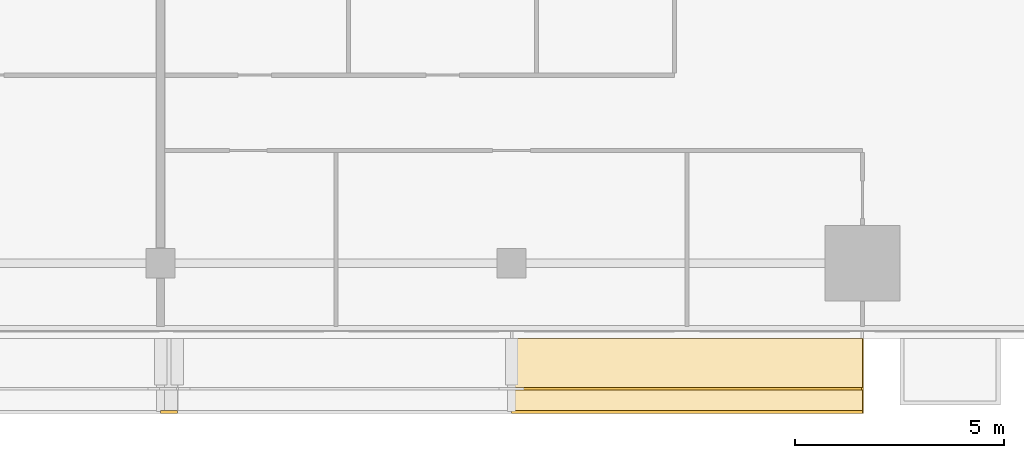
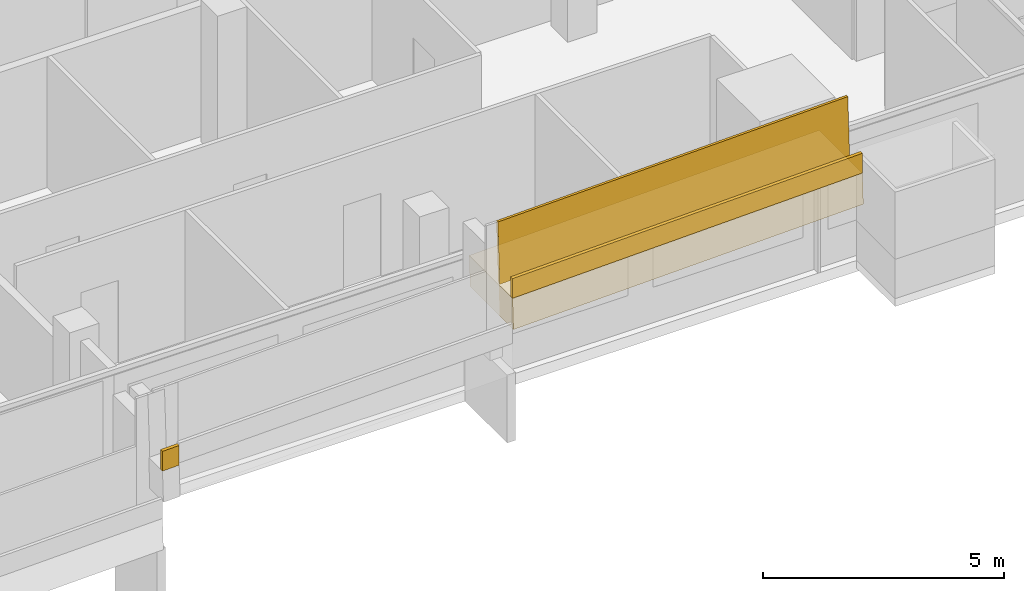
# One storey, part 28 of 28: 3 coverings, 1 railing.
"""IFC4 building model written with IfcOpenShell, lengths in metres."""

from ifc_helpers import new_model, si_unit, direction, frame, origin, origin_2d, place, context, subcontext, project, spatial, polyline, rectangle, outline, extrude, material, layer, layer_set, type_object, element, save


model = new_model("IFC4")

# Units and contexts
model_context = context("Model", 3, precision=1e-05, world=origin(), true_north=direction((0.0, 1.0)))
body_context = subcontext(model_context, "Body", "Model", "MODEL_VIEW")
ifc_project = project(units=[si_unit("LENGTHUNIT", "METRE"), si_unit("AREAUNIT", "SQUARE_METRE"), si_unit("VOLUMEUNIT", "CUBIC_METRE"), si_unit("PLANEANGLEUNIT", "RADIAN"), si_unit("MASSUNIT", "GRAM", prefix="KILO")], contexts=[model_context])

# Site, building, storey
site_placement = place(None, origin())
site = spatial("IfcSite", under=ifc_project, at=site_placement, CompositionType="ELEMENT")
building_placement = place(site_placement, origin())
building = spatial("IfcBuilding", under=site, at=building_placement, Name="Saffron Gate Tower", CompositionType="ELEMENT")
storey_placement = place(building_placement, frame((0.0, 0.0, 154.64990234375)))
storey = spatial("IfcBuildingStorey", under=building, at=storey_placement, Name="L37", CompositionType="ELEMENT", Elevation=154.64990234375)

# Coverings
ifc_material = material(Name="Timber, thermally modified ash", Category="wood")
ifc_layer_1 = layer(ifc_material, 0.800048828125)
ifc_layer_set_1 = layer_set([ifc_layer_1], Name="LD1 ledge timber")
covering_type_1 = type_object("IfcCoveringType", Name="LD1 ledge timber", PredefinedType="CLADDING", material=ifc_layer_set_1)
covering_1_placement = place(storey_placement, frame((108.60009765625, 30.0, 3.38427734375), z_axis=(-0.028791175352, 0.0, 0.999585448184), x_axis=(0.999585448184, 0.0, 0.028791175352)))
element("IfcCovering", 1, at=covering_1_placement, inside=storey, type_object=covering_type_1, Name="LEDGE", PredefinedType="CLADDING", context=body_context, shape_type="SweptSolid", body=[
    extrude(outline(polyline([(0.0, 0.0), (8.403385982666892, 0.0), (8.403385982666892, -1.800048828125), (0.0, -1.800048828125), (0.0, 0.0)])), origin(), (0.0, 0.0, -1.0), 0.800048828125),
])
ifc_layer_2 = layer(ifc_material, 0.080078125)
ifc_layer_set_2 = layer_set([ifc_layer_2], Name="LD2 ledge planter trough")
covering_type_2 = type_object("IfcCoveringType", Name="LD2 ledge planter trough", PredefinedType="CLADDING", material=ifc_layer_set_2)
covering_2_placement = place(storey_placement, frame((100.199951171875, 28.199951171875, 1.942138671875), z_axis=(0.0, -1.0, 0.0), x_axis=(0.999589096284, 0.0, 0.028664238881)))
element("IfcCovering", 2, at=covering_2_placement, inside=storey, type_object=covering_type_2, Name="LEDGE planter trough", PredefinedType="CLADDING", context=body_context, shape_type="SweptSolid", body=[
    extrude(outline(polyline([(0.0, 0.0), (0.40031097364171886, -1.734723475976807e-18), (0.4146430930820291, 0.4997945481418826), (0.014332119440310242, 0.4997945481418827), (0.0, 0.0)])), origin(), (0.0, 0.0, -1.0), 0.080078125),
])
covering_3_placement = place(storey_placement, frame((108.60009765625, 28.199951171875, 3.38427734375), z_axis=(0.0, -1.0, 0.0), x_axis=(0.999585448184, 0.0, 0.028791175352)))
element("IfcCovering", 3, at=covering_3_placement, inside=storey, type_object=covering_type_2, Name="LEDGE planter trough", PredefinedType="CLADDING", context=body_context, shape_type="SweptSolid", body=[
    extrude(outline(polyline([(0.0, 0.0), (8.403385982666892, 0.0), (8.417781570342743, 0.49979272409216496), (0.014395587675851172, 0.4997927240921649), (0.0, 0.0)])), origin(), (0.0, 0.0, -1.0), 0.080078125),
])

# Railing
railing_type = type_object("IfcRailingType", Name="LG1 ledge balustrade", PredefinedType="BALUSTRADE", material=ifc_material)
railing_placement = place(storey_placement, frame((108.60009765625, 28.800048828125, 3.38427734375)))
element("IfcRailing", 4, at=railing_placement, inside=storey, type_object=railing_type, Name="LEDGE BALUSTRADE", PredefinedType="BALUSTRADE", context=body_context, shape_type="SweptSolid", body=[
    extrude(rectangle(XDim=0.06005859375, YDim=1.60009765625, at=origin_2d()), frame((0.0, 0.0, 0.800048828125), z_axis=(0.999585448184, 0.0, 0.028791175352), x_axis=(0.0, 1.0, 0.0)), (0.0, 0.0, 1.0), 8.4033203125),
])

save(model, "model.ifc")
